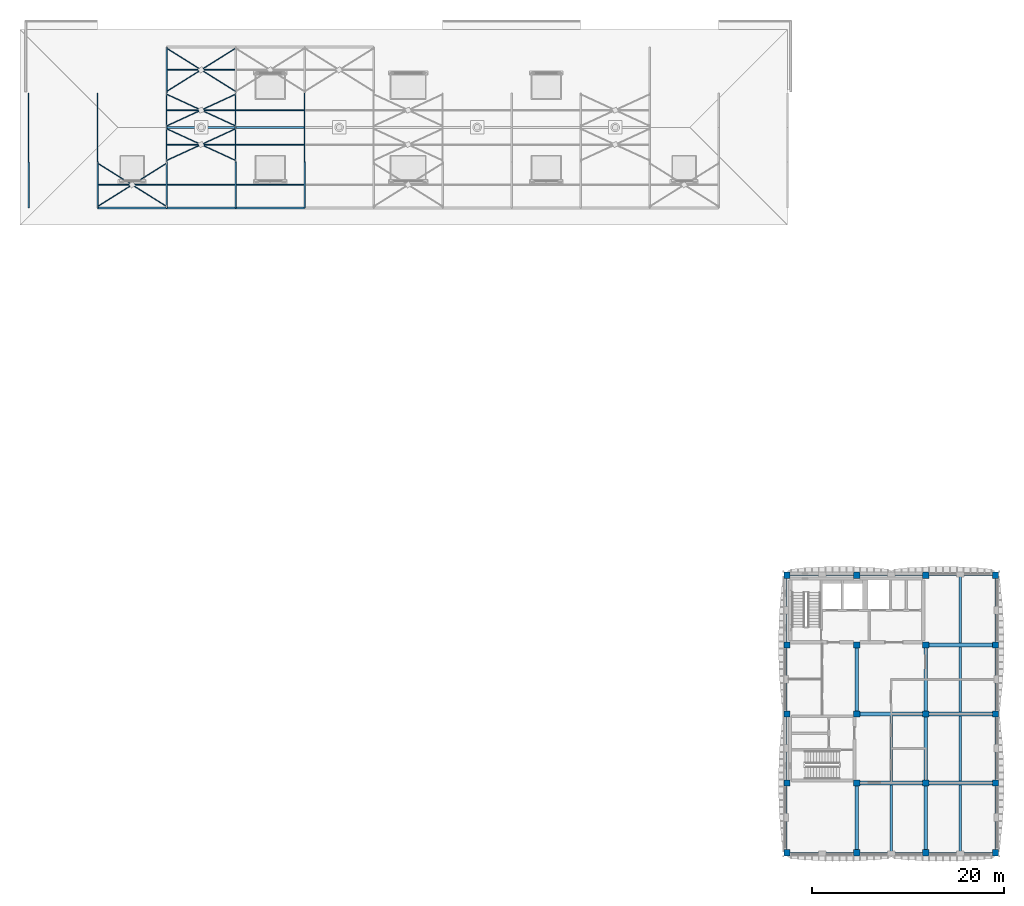
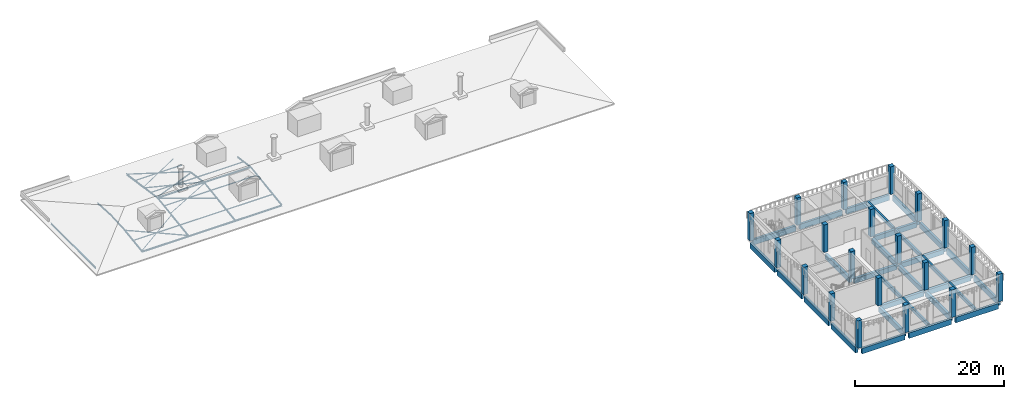
# One storey, part 1 of 24: 41 members, 30 beams, 20 columns.
"""IFC4 building model written with IfcOpenShell, lengths in metres."""

import ifcopenshell
import ifcopenshell.guid

model = None  # the IFC model being written
_history = None  # IfcOwnerHistory: only IFC2X3 demands one
_inside = {}  # id of a spatial element -> (the spatial element, [elements in it])
_under = {}  # id of a project, library or spatial element -> (it, [spatial elements below it])
_declared = {}  # id of a project -> (the project, [libraries it declares])
_typed = {}  # id of a type object -> (the type object, [elements of that type])
_made_of = {}  # id of a material, layer set ... -> (it, [elements and type objects made of it])


def new_model(schema):
    """Start an empty IFC model of exactly this schema.

    Asked for "IFC4X3", IfcOpenShell would pick the latest addendum, in which some entities
    have other attributes; the version numbers below select the first issue.
    IFC2X3 requires an IfcOwnerHistory on every rooted entity: one is made here for all.
    """
    global model, _history
    if schema == "IFC4X3":
        model = ifcopenshell.file(schema_version=(4, 3, 0, 0))
    else:
        model = ifcopenshell.file(schema=schema)
    _inside.clear()
    _under.clear()
    _declared.clear()
    _typed.clear()
    _made_of.clear()
    _history = None
    if model.schema == "IFC2X3":
        org = make("IfcOrganization", Name="unknown")
        user = make(
            "IfcPersonAndOrganization",
            ThePerson=make("IfcPerson", FamilyName="unknown"),
            TheOrganization=org,
        )
        app = make(
            "IfcApplication",
            ApplicationDeveloper=org,
            Version="unknown",
            ApplicationFullName="unknown",
            ApplicationIdentifier="unknown",
        )
        _history = make(
            "IfcOwnerHistory",
            OwningUser=user,
            OwningApplication=app,
            ChangeAction="ADDED",
            CreationDate=0,
        )
    return model


def make(cls, **values):
    """One entity of the class cls with the attributes given. An attribute that is None is left unset."""
    return model.create_entity(
        cls, **{name: value for name, value in values.items() if value is not None}
    )


def rooted(cls, **values):
    """An entity with a GlobalId (a new one), such as an element, a storey or a relation."""
    return make(cls, GlobalId=ifcopenshell.guid.new(), OwnerHistory=_history, **values)


def si_unit(unit_type, name, prefix=None):
    """IfcSIUnit, for example si_unit("LENGTHUNIT", "METRE", prefix="MILLI")."""
    return make("IfcSIUnit", UnitType=unit_type, Prefix=prefix, Name=name)


def assignment(units):
    """IfcUnitAssignment: the units of a project."""
    return None if units is None else make("IfcUnitAssignment", Units=units)


def point(xyz):
    """IfcCartesianPoint."""
    return None if xyz is None else make("IfcCartesianPoint", Coordinates=xyz)


def direction(xyz):
    """IfcDirection."""
    return None if xyz is None else make("IfcDirection", DirectionRatios=xyz)


def frame(location, z_axis=None, x_axis=None):
    """IfcAxis2Placement3D, a coordinate frame: its origin and axes. An axis left out is left unset."""
    return make(
        "IfcAxis2Placement3D",
        Location=point(location),
        Axis=direction(z_axis),
        RefDirection=direction(x_axis),
    )


def frame_2d(location, x_axis=None):
    """IfcAxis2Placement2D, a coordinate frame in the plane: its origin and x axis."""
    return make(
        "IfcAxis2Placement2D", Location=point(location), RefDirection=direction(x_axis)
    )


def origin():
    """The frame at (0, 0, 0) with its axes left unset."""
    return frame((0.0, 0.0, 0.0))


def origin_2d():
    """The frame at (0, 0) in the plane with its x axis left unset."""
    return frame_2d((0.0, 0.0))


def place(relative_to, where):
    """IfcLocalPlacement: puts the frame where relative to a parent placement (None: the world)."""
    return make(
        "IfcLocalPlacement", PlacementRelTo=relative_to, RelativePlacement=where
    )


def context(
    kind, dimensions, precision=None, world=None, true_north=None, identifier=None
):
    """IfcGeometricRepresentationContext, for example the 3D "Model" context."""
    return make(
        "IfcGeometricRepresentationContext",
        ContextIdentifier=identifier,
        ContextType=kind,
        CoordinateSpaceDimension=dimensions,
        Precision=precision,
        WorldCoordinateSystem=world,
        TrueNorth=true_north,
    )


def subcontext(parent, identifier, kind, view, scale=None):
    """IfcGeometricRepresentationSubContext, for example "Body" below "Model"."""
    return make(
        "IfcGeometricRepresentationSubContext",
        ContextIdentifier=identifier,
        ContextType=kind,
        ParentContext=parent,
        TargetScale=scale,
        TargetView=view,
    )


def project(units=None, contexts=None):
    """IfcProject with its units and contexts."""
    return rooted(
        "IfcProject",
        Name="project",
        RepresentationContexts=contexts,
        UnitsInContext=assignment(units),
    )


def spatial(cls, under=None, at=None, **own):
    """A site, building, storey or space (cls), placed at a placement, below another one or the project."""
    s = rooted(cls, ObjectPlacement=at, **own)
    if under is not None:
        _under.setdefault(under.id(), (under, []))[1].append(s)
    return s


def profile(cls, at=None, kind="AREA", **sizes):
    """A parametric profile (cls). Its sizes go by their IFC names, for example OverallWidth=200.0."""
    return make(cls, ProfileType=kind, Position=at, **sizes)


def rectangle(**sizes):
    """IfcRectangleProfileDef."""
    return profile("IfcRectangleProfileDef", **sizes)


def hollow_rectangle(**sizes):
    """IfcRectangleHollowProfileDef."""
    return profile("IfcRectangleHollowProfileDef", **sizes)


def hollow_circle(**sizes):
    """IfcCircleHollowProfileDef."""
    return profile("IfcCircleHollowProfileDef", **sizes)


def i_section(**sizes):
    """IfcIShapeProfileDef."""
    return profile("IfcIShapeProfileDef", **sizes)


def extrude(swept, where, along, depth):
    """IfcExtrudedAreaSolid: the profile swept, set in the frame where, extruded along a direction by depth."""
    return make(
        "IfcExtrudedAreaSolid",
        SweptArea=swept,
        Position=where,
        ExtrudedDirection=direction(along),
        Depth=depth,
    )


def shape(context_of_items, identifier, shape_type, items):
    """IfcShapeRepresentation: the items that make up one representation, for example the "Body"."""
    return make(
        "IfcShapeRepresentation",
        ContextOfItems=context_of_items,
        RepresentationIdentifier=identifier,
        RepresentationType=shape_type,
        Items=items,
    )


def material(Name=None, Category=None):
    """IfcMaterial."""
    return make("IfcMaterial", Name=Name, Category=Category)


def material_profile(
    of_material, cross_section, Name=None, Category=None, Priority=None
):
    """IfcMaterialProfile: a cross section and its material."""
    return make(
        "IfcMaterialProfile",
        Name=Name,
        Material=of_material,
        Profile=cross_section,
        Priority=Priority,
        Category=Category,
    )


def profile_set(profiles, Name=None, composite=None):
    """IfcMaterialProfileSet."""
    return make(
        "IfcMaterialProfileSet",
        Name=Name,
        MaterialProfiles=profiles,
        CompositeProfile=composite,
    )


def made_of(thing, what):
    """Note that an element or type object is made of a material, layer set ...; save() writes the relation."""
    if what is not None:
        _made_of.setdefault(what.id(), (what, []))[1].append(thing)
    return thing


def type_object(cls, material=None, **own):
    """A type object (cls), such as IfcWallType, which elements share."""
    return made_of(rooted(cls, **own), material)


def element(
    cls,
    number,
    at=None,
    inside=None,
    cuts=None,
    type_object=None,
    material=None,
    context=None,
    identifier="Body",
    shape_type=None,
    held_by="IfcProductDefinitionShape",
    body=None,
    shapes=None,
    **own,
):
    """One element of the class cls, such as IfcWall. Its Tag is "e" and its number.

    at: its placement. inside: the storey or other place that contains it. cuts: it is an
    opening in that element (IfcRelVoidsElement). A single representation is given by context,
    identifier, shape_type and body (its items); several are given by shapes. held_by: the class
    of the entity that holds the representations. save() writes the other relations.
    """
    e = rooted(cls, Tag="e%d" % number, ObjectPlacement=at, **own)
    if body is not None:
        shapes = [shape(context, identifier, shape_type, body)]
    if shapes is not None:
        e.Representation = make(held_by, Representations=shapes)
    if inside is not None:
        _inside.setdefault(inside.id(), (inside, []))[1].append(e)
    if cuts is not None:
        rooted(
            "IfcRelVoidsElement", RelatingBuildingElement=cuts, RelatedOpeningElement=e
        )
    if type_object is not None:
        _typed.setdefault(type_object.id(), (type_object, []))[1].append(e)
    return made_of(e, material)


def aggregate(whole, parts):
    """IfcRelAggregates: a whole, such as a stair, and the parts it consists of."""
    return rooted("IfcRelAggregates", RelatingObject=whole, RelatedObjects=parts)


def save(model, path):
    """Write the relations noted so far, then the file.

    IfcRelAggregates (storeys below a building ...), IfcRelContainedInSpatialStructure (elements
    in a storey), IfcRelDefinesByType, IfcRelAssociatesMaterial and IfcRelDeclares: one each for
    every whole, place, type object, material and project.
    """
    for whole, parts in _under.values():
        aggregate(whole, parts)
    for where, things in _inside.values():
        rooted(
            "IfcRelContainedInSpatialStructure",
            RelatedElements=things,
            RelatingStructure=where,
        )
    for kind, things in _typed.values():
        rooted("IfcRelDefinesByType", RelatedObjects=things, RelatingType=kind)
    for what, things in _made_of.values():
        rooted("IfcRelAssociatesMaterial", RelatedObjects=things, RelatingMaterial=what)
    for by, libraries in _declared.values():
        rooted("IfcRelDeclares", RelatingContext=by, RelatedDefinitions=libraries)
    model.write(path)


model = new_model("IFC4")

# Units and contexts
model_context = context("Model", 3, precision=1e-05, world=origin(), true_north=direction((0.0, 1.0)))
body_context = subcontext(model_context, "Body", "Model", "MODEL_VIEW")
ifc_project = project(units=[si_unit("LENGTHUNIT", "METRE"), si_unit("AREAUNIT", "SQUARE_METRE"), si_unit("VOLUMEUNIT", "CUBIC_METRE"), si_unit("PLANEANGLEUNIT", "RADIAN"), si_unit("MASSUNIT", "GRAM", prefix="KILO")], contexts=[model_context])

# Site, building, storey
site_placement = place(None, origin())
site = spatial("IfcSite", under=ifc_project, at=site_placement, CompositionType="ELEMENT")
building_placement = place(site_placement, origin())
building = spatial("IfcBuilding", under=site, at=building_placement, Name="Ussher Court Research Institute", CompositionType="ELEMENT")
storey_placement = place(building_placement, frame((0.0, 0.0, 32.39990234375)))
storey = spatial("IfcBuildingStorey", under=building, at=storey_placement, Name="L07", CompositionType="ELEMENT", Elevation=32.39990234375)

# Columns
ifc_material_1 = material(Name="Concrete C35/45", Category="concrete")
ifc_material_profile_1 = material_profile(ifc_material_1, rectangle(XDim=0.64990234375, YDim=0.64990234375, at=origin_2d()), Name="RC 650x650")
ifc_profile_set_1 = profile_set([ifc_material_profile_1], Name="Concrete C35/45")
column_type = type_object("IfcColumnType", Name="RC 650x650 column", PredefinedType="COLUMN", material=ifc_profile_set_1)
for number, where, z_axis, x_axis, name in (
    (1, (82.125, 3.925048828125, 0.0), (0.0, 0.0, 1.0), (1.0, 0.0, 0.0), "C65 V4 L07-01"),
    (2, (82.125, 11.199951171875, 0.0), (0.0, 0.0, 1.0), (1.0, 0.0, 0.0), "C65 V4 L07-02"),
    (3, (82.125, 18.39990234375, 0.0), (0.0, 0.0, 1.0), (1.0, 0.0, 0.0), "C65 V4 L07-03"),
    (4, (82.125, 25.60009765625, 0.0), (0.0, 0.0, 1.0), (1.0, 0.0, 0.0), "C65 V4 L07-04"),
    (5, (82.125, 32.875, 0.0), (0.0, 0.0, 1.0), (1.0, 0.0, 0.0), "C65 V4 L07-05"),
    (6, (89.39990234375, 3.925048828125, 0.0), (0.0, 0.0, 1.0), (1.0, 0.0, 0.0), "C65 V4 L07-06"),
    (7, (89.39990234375, 11.199951171875, 0.0), (0.0, 0.0, 1.0), (1.0, 0.0, 0.0), "C65 V4 L07-07"),
    (8, (89.39990234375, 18.39990234375, 0.0), (0.0, 0.0, 1.0), (1.0, 0.0, 0.0), "C65 V4 L07-08"),
    (9, (89.39990234375, 25.60009765625, 0.0), (0.0, 0.0, 1.0), (1.0, 0.0, 0.0), "C65 V4 L07-09"),
    (10, (89.39990234375, 32.875, 0.0), (0.0, 0.0, 1.0), (1.0, 0.0, 0.0), "C65 V4 L07-10"),
    (11, (96.60009765625, 3.925048828125, 0.0), (0.0, 0.0, 1.0), (1.0, 0.0, 0.0), "C65 V4 L07-11"),
    (12, (96.60009765625, 11.199951171875, 0.0), (0.0, 0.0, 1.0), (1.0, 0.0, 0.0), "C65 V4 L07-12"),
    (13, (96.60009765625, 18.39990234375, 0.0), (0.0, 0.0, 1.0), (1.0, 0.0, 0.0), "C65 V4 L07-13"),
    (14, (96.60009765625, 25.60009765625, 0.0), (0.0, 0.0, 1.0), (1.0, 0.0, 0.0), "C65 V4 L07-14"),
    (15, (96.60009765625, 32.875, 0.0), (0.0, 0.0, 1.0), (1.0, 0.0, 0.0), "C65 V4 L07-15"),
    (16, (103.875, 3.925048828125, 0.0), (0.0, 0.0, 1.0), (1.0, 0.0, 0.0), "C65 V4 L07-16"),
    (17, (103.875, 11.199951171875, 0.0), (0.0, 0.0, 1.0), (1.0, 0.0, 0.0), "C65 V4 L07-17"),
    (18, (103.875, 18.39990234375, 0.0), (0.0, 0.0, 1.0), (1.0, 0.0, 0.0), "C65 V4 L07-18"),
    (19, (103.875, 25.60009765625, 0.0), (0.0, 0.0, 1.0), (1.0, 0.0, 0.0), "C65 V4 L07-19"),
    (20, (103.875, 32.875, 0.0), (0.0, 0.0, 1.0), (1.0, 0.0, 0.0), "C65 V4 L07-20"),
):
    element("IfcColumn", number, at=place(storey_placement, frame(where, z_axis=z_axis, x_axis=x_axis)), inside=storey, type_object=column_type, Name=name, PredefinedType="COLUMN", context=body_context, shape_type="SweptSolid", body=[
        extrude(rectangle(XDim=0.64990234375, YDim=0.64990234375, at=origin_2d()), origin(), (0.0, 0.0, 1.0), 4.5),
    ])

# Members
ifc_material_2 = material(Name="Steel S355", Category="steel")
ifc_material_profile_2 = material_profile(ifc_material_2, hollow_circle(Radius=0.056884765625, WallThickness=0.0048828125, at=origin_2d()), Name="CHS 114x5")
ifc_profile_set_2 = profile_set([ifc_material_profile_2], Name="Steel S355")
member_type_1 = type_object("IfcMemberType", Name="CHS 114x5 brace", PredefinedType="BRACE", material=ifc_profile_set_2)
member_1_placement = place(storey_placement, frame((10.209228515625, 71.35009765625, -0.02490234375), z_axis=(0.845032241138, 0.52951331867, 0.074405354566), x_axis=(-0.530985167162, 0.847381113935, 0.0)))
element("IfcMember", 21, at=member_1_placement, inside=storey, type_object=member_type_1, Name="RB1 V5 L07-01", PredefinedType="BRACE", context=body_context, shape_type="SweptSolid", body=[
    extrude(hollow_circle(Radius=0.056884765625, WallThickness=0.0048828125, at=origin_2d()), origin(), (0.0, 0.0, 1.0), 8.498291015625),
])
member_2_placement = place(storey_placement, frame((10.209228515625, 75.85009765625, 0.607421875), z_axis=(0.845035721143, -0.529509111994, -0.074395768073), x_axis=(0.530980567968, 0.84738399586, 0.0)))
element("IfcMember", 22, at=member_2_placement, inside=storey, type_object=member_type_1, Name="RB1 V5 L07-02", PredefinedType="BRACE", context=body_context, shape_type="SweptSolid", body=[
    extrude(hollow_circle(Radius=0.056884765625, WallThickness=0.0048828125, at=origin_2d()), origin(), (0.0, 0.0, 1.0), 4.190673828125),
])
member_3_placement = place(storey_placement, frame((13.849609375, 73.56884765625, 0.286865234375), z_axis=(0.845045132744, -0.529493254714, -0.074401726042), x_axis=(0.530964903291, 0.847393811326, 0.0)))
element("IfcMember", 23, at=member_3_placement, inside=storey, type_object=member_type_1, Name="RB1 V5 L07-03", PredefinedType="BRACE", context=body_context, shape_type="SweptSolid", body=[
    extrude(hollow_circle(Radius=0.056884765625, WallThickness=0.0048828125, at=origin_2d()), origin(), (0.0, 0.0, 1.0), 4.1904296875),
])
member_4_placement = place(storey_placement, frame((17.4091796875, 76.14990234375, 0.649658203125), z_axis=(0.907097828107, 0.416822183251, 0.058590082724), x_axis=(-0.417539463625, 0.908658789819, 0.0)))
element("IfcMember", 24, at=member_4_placement, inside=storey, type_object=member_type_1, Name="RB1 V5 L07-10", PredefinedType="BRACE", context=body_context, shape_type="SweptSolid", body=[
    extrude(hollow_circle(Radius=0.056884765625, WallThickness=0.0048828125, at=origin_2d()), origin(), (0.0, 0.0, 1.0), 7.917236328125),
])
for number, where, z_axis, x_axis, name in (
    (25, (17.4091796875, 79.449951171875, 1.113525390625), (0.907094327762, -0.416823967913, -0.058631564161), (0.41754227001, 0.908657500247, 0.0), "RB1 V5 L07-11"),
    (26, (21.06298828125, 77.77099609375, 0.87744140625), (0.907097664625, -0.416825501253, -0.05856900492), (0.41754227001, 0.908657500247, 0.0), "RB1 V5 L07-12"),
):
    element("IfcMember", number, at=place(storey_placement, frame(where, z_axis=z_axis, x_axis=x_axis)), inside=storey, type_object=member_type_1, Name=name, PredefinedType="BRACE", context=body_context, shape_type="SweptSolid", body=[
        extrude(hollow_circle(Radius=0.056884765625, WallThickness=0.0048828125, at=origin_2d()), origin(), (0.0, 0.0, 1.0), 3.88916015625),
    ])
member_5_placement = place(storey_placement, frame((17.4091796875, 79.75, 1.113525390625), z_axis=(0.907097828107, 0.416822183251, -0.058590082724), x_axis=(-0.417539463625, 0.908658789819, 0.0)))
element("IfcMember", 27, at=member_5_placement, inside=storey, type_object=member_type_1, Name="RB1 V5 L07-19", PredefinedType="BRACE", context=body_context, shape_type="SweptSolid", body=[
    extrude(hollow_circle(Radius=0.056884765625, WallThickness=0.0048828125, at=origin_2d()), origin(), (0.0, 0.0, 1.0), 7.917236328125),
])
for number, where, z_axis, x_axis, name in (
    (28, (17.4091796875, 83.050048828125, 0.649658203125), (0.907097664625, -0.416825501253, 0.05856900492), (0.41754227001, 0.908657500247, 0.0), "RB1 V5 L07-20"),
    (29, (21.06298828125, 81.37109375, 0.885498046875), (0.907094327762, -0.416823967913, 0.058631564161), (0.41754227001, 0.908657500247, 0.0), "RB1 V5 L07-21"),
):
    element("IfcMember", number, at=place(storey_placement, frame(where, z_axis=z_axis, x_axis=x_axis)), inside=storey, type_object=member_type_1, Name=name, PredefinedType="BRACE", context=body_context, shape_type="SweptSolid", body=[
        extrude(hollow_circle(Radius=0.056884765625, WallThickness=0.0048828125, at=origin_2d()), origin(), (0.0, 0.0, 1.0), 3.88916015625),
    ])
member_6_placement = place(storey_placement, frame((17.4091796875, 83.35009765625, 0.607421875), z_axis=(0.845040454746, 0.529500464437, -0.074403548334), x_axis=(-0.530972205443, 0.847389235857, 0.0)))
element("IfcMember", 30, at=member_6_placement, inside=storey, type_object=member_type_1, Name="RB1 V5 L07-28", PredefinedType="BRACE", context=body_context, shape_type="SweptSolid", body=[
    extrude(hollow_circle(Radius=0.056884765625, WallThickness=0.0048828125, at=origin_2d()), origin(), (0.0, 0.0, 1.0), 8.49853515625),
])
member_7_placement = place(storey_placement, frame((17.4091796875, 87.85009765625, -0.02490234375), z_axis=(0.845035721143, -0.529509111994, 0.074395768073), x_axis=(0.530980567968, 0.84738399586, 0.0)))
element("IfcMember", 31, at=member_7_placement, inside=storey, type_object=member_type_1, Name="RB1 V5 L07-29", PredefinedType="BRACE", context=body_context, shape_type="SweptSolid", body=[
    extrude(hollow_circle(Radius=0.056884765625, WallThickness=0.0048828125, at=origin_2d()), origin(), (0.0, 0.0, 1.0), 4.190673828125),
])
member_8_placement = place(storey_placement, frame((21.049560546875, 85.56884765625, 0.295654296875), z_axis=(0.845061788803, -0.529467186256, 0.074398063034), x_axis=(0.530938616878, 0.84741028145, 0.0)))
element("IfcMember", 32, at=member_8_placement, inside=storey, type_object=member_type_1, Name="RB1 V5 L07-30", PredefinedType="BRACE", context=body_context, shape_type="SweptSolid", body=[
    extrude(hollow_circle(Radius=0.056884765625, WallThickness=0.0048828125, at=origin_2d()), origin(), (0.0, 0.0, 1.0), 4.1904296875),
])
ifc_material_3 = material(Name="Steel S355", Category="steel")
ifc_material_profile_3 = material_profile(ifc_material_3, i_section(OverallWidth=0.199951171875, OverallDepth=0.18994140625, WebThickness=0.006591796875, FlangeThickness=0.010009765625, at=origin_2d()), Name="HEA 200")
ifc_profile_set_3 = profile_set([ifc_material_profile_3], Name="Steel S355")
member_type_2 = type_object("IfcMemberType", Name="HEA 200 purlin", PredefinedType="PURLIN", material=ifc_profile_set_3)
member_9_placement = place(storey_placement, frame((17.39990234375, 79.60009765625, 1.128662109375), z_axis=(1.0, 0.0, 0.0), x_axis=(0.0, 1.0, 0.0)))
element("IfcMember", 33, at=member_9_placement, inside=storey, type_object=member_type_2, Name="SP1 V5 L07-01", PredefinedType="PURLIN", context=body_context, shape_type="SweptSolid", body=[
    extrude(i_section(OverallWidth=0.199951171875, OverallDepth=0.18994140625, WebThickness=0.006591796875, FlangeThickness=0.010009765625, at=origin_2d()), origin(), (0.0, 0.0, 1.0), 7.2001953125),
])
member_10_placement = place(storey_placement, frame((24.60009765625, 79.60009765625, 1.128662109375), z_axis=(1.0, 0.0, 0.0), x_axis=(0.0, 1.0, 0.0)))
element("IfcMember", 34, at=member_10_placement, inside=storey, type_object=member_type_2, Name="SP1 V5 L07-02", PredefinedType="PURLIN", context=body_context, shape_type="SweptSolid", body=[
    extrude(i_section(OverallWidth=0.199951171875, OverallDepth=0.18994140625, WebThickness=0.006591796875, FlangeThickness=0.010009765625, at=origin_2d()), origin(), (0.0, 0.0, 1.0), 7.199951171875),
])
ifc_material_4 = material(Name="Steel S355", Category="steel")
ifc_material_profile_4 = material_profile(ifc_material_4, i_section(OverallWidth=0.199951171875, OverallDepth=0.199951171875, WebThickness=0.009033203125, FlangeThickness=0.014892578125, at=origin_2d()), Name="HEB 200")
ifc_profile_set_4 = profile_set([ifc_material_profile_4], Name="Steel S355")
member_type_3 = type_object("IfcMemberType", Name="HEB 200 purlin", PredefinedType="PURLIN", material=ifc_profile_set_4)
member_11_placement = place(storey_placement, frame((10.199951171875, 71.199951171875, -0.056884765625), z_axis=(1.0, 0.0, 0.0), x_axis=(0.0, 1.0, 0.0)))
element("IfcMember", 35, at=member_11_placement, inside=storey, type_object=member_type_3, Name="SP5 V5 L07-01", PredefinedType="PURLIN", context=body_context, shape_type="SweptSolid", body=[
    extrude(i_section(OverallWidth=0.199951171875, OverallDepth=0.199951171875, WebThickness=0.009033203125, FlangeThickness=0.014892578125, at=origin_2d()), origin(), (0.0, 0.0, 1.0), 7.199951171875),
])
member_12_placement = place(storey_placement, frame((17.39990234375, 71.199951171875, -0.056884765625), z_axis=(1.0, 0.0, 0.0), x_axis=(0.0, 1.0, 0.0)))
element("IfcMember", 36, at=member_12_placement, inside=storey, type_object=member_type_3, Name="SP5 V5 L07-02", PredefinedType="PURLIN", context=body_context, shape_type="SweptSolid", body=[
    extrude(i_section(OverallWidth=0.199951171875, OverallDepth=0.199951171875, WebThickness=0.009033203125, FlangeThickness=0.014892578125, at=origin_2d()), origin(), (0.0, 0.0, 1.0), 7.2001953125),
])
member_13_placement = place(storey_placement, frame((24.60009765625, 71.199951171875, -0.056884765625), z_axis=(1.0, 0.0, 0.0), x_axis=(0.0, 1.0, 0.0)))
element("IfcMember", 37, at=member_13_placement, inside=storey, type_object=member_type_3, Name="SP5 V5 L07-03", PredefinedType="PURLIN", context=body_context, shape_type="SweptSolid", body=[
    extrude(i_section(OverallWidth=0.199951171875, OverallDepth=0.199951171875, WebThickness=0.009033203125, FlangeThickness=0.014892578125, at=origin_2d()), origin(), (0.0, 0.0, 1.0), 7.199951171875),
])
ifc_material_5 = material(Name="Steel S355", Category="steel")
ifc_material_profile_5 = material_profile(ifc_material_5, i_section(OverallWidth=0.1201171875, OverallDepth=0.239990234375, WebThickness=0.006103515625, FlangeThickness=0.009765625, at=origin_2d()), Name="IPE 240")
ifc_profile_set_5 = profile_set([ifc_material_profile_5], Name="Steel S355")
member_type_4 = type_object("IfcMemberType", Name="IPE 240 rafter", PredefinedType="RAFTER", material=ifc_profile_set_5)
member_14_placement = place(storey_placement, frame((3.0, 76.0, -0.19775390625), z_axis=(0.0, 1.0, 0.0), x_axis=(-1.0, 0.0, 0.0)))
element("IfcMember", 38, at=member_14_placement, inside=storey, type_object=member_type_4, Name="SR4 V5 L07-01", PredefinedType="RAFTER", context=body_context, shape_type="SweptSolid", body=[
    extrude(i_section(OverallWidth=0.1201171875, OverallDepth=0.239990234375, WebThickness=0.006103515625, FlangeThickness=0.009765625, at=origin_2d()), origin(), (0.0, 0.0, 1.0), 3.60009765625),
])
member_15_placement = place(storey_placement, frame((3.0, 79.60009765625, -0.19775390625), z_axis=(0.0, 1.0, 0.0), x_axis=(-1.0, 0.0, 0.0)))
element("IfcMember", 39, at=member_15_placement, inside=storey, type_object=member_type_4, Name="SR4 V5 L07-02", PredefinedType="RAFTER", context=body_context, shape_type="SweptSolid", body=[
    extrude(i_section(OverallWidth=0.1201171875, OverallDepth=0.239990234375, WebThickness=0.006103515625, FlangeThickness=0.009765625, at=origin_2d()), origin(), (0.0, 0.0, 1.0), 3.599853515625),
])
for number, where, z_axis, x_axis, name in (
    (40, (10.199951171875, 76.006591796875, 0.61181640625), (0.0, 0.998423468537, 0.056130005114), (-1.0, 0.0, 0.0), "SR4 V5 L07-03"),
    (41, (10.199951171875, 79.59326171875, 0.814208984375), (0.0, 0.998423468537, -0.056130005114), (-1.0, 0.0, 0.0), "SR4 V5 L07-04"),
):
    element("IfcMember", number, at=place(storey_placement, frame(where, z_axis=z_axis, x_axis=x_axis)), inside=storey, type_object=member_type_4, Name=name, PredefinedType="RAFTER", context=body_context, shape_type="SweptSolid", body=[
        extrude(i_section(OverallWidth=0.1201171875, OverallDepth=0.239990234375, WebThickness=0.006103515625, FlangeThickness=0.009765625, at=origin_2d()), origin(), (0.0, 0.0, 1.0), 3.605712890625),
    ])
for number, where, z_axis, x_axis, name in (
    (42, (17.39990234375, 76.0166015625, 0.61279296875), (0.0, 0.990262655095, 0.139211615625), (-1.0, 0.0, 0.0), "SR4 V5 L07-05"),
    (43, (17.39990234375, 79.583251953125, 1.118896484375), (0.0, 0.990262655095, -0.139211615625), (-1.0, 0.0, 0.0), "SR4 V5 L07-06"),
    (44, (24.60009765625, 76.0166015625, 0.61279296875), (0.0, 0.990262655095, 0.139211615625), (-1.0, 0.0, 0.0), "SR4 V5 L07-07"),
    (45, (24.60009765625, 79.583251953125, 1.118896484375), (0.0, 0.990262655095, -0.139211615625), (-1.0, 0.0, 0.0), "SR4 V5 L07-08"),
    (46, (31.800048828125, 76.0166015625, 0.61279296875), (0.0, 0.990262655095, 0.139211615625), (-1.0, 0.0, 0.0), "SR4 V5 L07-09"),
    (47, (31.800048828125, 79.583251953125, 1.118896484375), (0.0, 0.990262655095, -0.139211615625), (-1.0, 0.0, 0.0), "SR4 V5 L07-10"),
):
    element("IfcMember", number, at=place(storey_placement, frame(where, z_axis=z_axis, x_axis=x_axis)), inside=storey, type_object=member_type_4, Name=name, PredefinedType="RAFTER", context=body_context, shape_type="SweptSolid", body=[
        extrude(i_section(OverallWidth=0.1201171875, OverallDepth=0.239990234375, WebThickness=0.006103515625, FlangeThickness=0.009765625, at=origin_2d()), origin(), (0.0, 0.0, 1.0), 3.635498046875),
    ])
ifc_material_6 = material(Name="Steel S355", Category="steel")
ifc_material_profile_6 = material_profile(ifc_material_6, i_section(OverallWidth=0.135009765625, OverallDepth=0.27001953125, WebThickness=0.006591796875, FlangeThickness=0.01025390625, at=origin_2d()), Name="IPE 270")
ifc_profile_set_6 = profile_set([ifc_material_profile_6], Name="Steel S355")
member_type_5 = type_object("IfcMemberType", Name="IPE 270 rafter", PredefinedType="RAFTER", material=ifc_profile_set_6)
member_16_placement = place(storey_placement, frame((3.0, 71.199951171875, -0.2138671875), z_axis=(0.0, 1.0, 0.0), x_axis=(-1.0, 0.0, 0.0)))
element("IfcMember", 48, at=member_16_placement, inside=storey, type_object=member_type_5, Name="SR2 V5 L07-01", PredefinedType="RAFTER", context=body_context, shape_type="SweptSolid", body=[
    extrude(i_section(OverallWidth=0.135009765625, OverallDepth=0.27001953125, WebThickness=0.006591796875, FlangeThickness=0.01025390625, at=origin_2d()), origin(), (0.0, 0.0, 1.0), 4.800048828125),
])
for number, where, z_axis, x_axis, name in (
    (49, (10.199951171875, 71.21875, -0.07666015625), (0.0, 0.990269272028, 0.139164538864), (-1.0, 0.0, 0.0), "SR2 V5 L07-02"),
    (50, (17.39990234375, 71.21875, -0.07666015625), (0.0, 0.990269272028, 0.139164538864), (-1.0, 0.0, 0.0), "SR2 V5 L07-03"),
    (51, (17.39990234375, 83.18115234375, 0.597900390625), (0.0, 0.990269272028, -0.139164538864), (-1.0, 0.0, 0.0), "SR2 V5 L07-04"),
    (52, (24.60009765625, 71.21875, -0.07666015625), (0.0, 0.990269272028, 0.139164538864), (-1.0, 0.0, 0.0), "SR2 V5 L07-05"),
    (53, (31.800048828125, 71.21875, -0.07666015625), (0.0, 0.990269272028, 0.139164538864), (-1.0, 0.0, 0.0), "SR2 V5 L07-07"),
):
    element("IfcMember", number, at=place(storey_placement, frame(where, z_axis=z_axis, x_axis=x_axis)), inside=storey, type_object=member_type_5, Name=name, PredefinedType="RAFTER", context=body_context, shape_type="SweptSolid", body=[
        extrude(i_section(OverallWidth=0.135009765625, OverallDepth=0.27001953125, WebThickness=0.006591796875, FlangeThickness=0.01025390625, at=origin_2d()), origin(), (0.0, 0.0, 1.0), 4.84716796875),
    ])

# Beams
ifc_material_7 = material(Name="Concrete C35/45", Category="concrete")
ifc_material_profile_7 = material_profile(ifc_material_7, rectangle(XDim=0.300048828125, YDim=0.60009765625, at=origin_2d()), Name="RC 300x600")
ifc_profile_set_7 = profile_set([ifc_material_profile_7], Name="Concrete C35/45")
beam_type_1 = type_object("IfcBeamType", Name="RC 300x600 beam", PredefinedType="BEAM", material=ifc_profile_set_7)
beam_1_placement = place(storey_placement, frame((93.0, 3.949951171875, -0.2998046875), z_axis=(0.0, 1.0, 0.0), x_axis=(-1.0, 0.0, 0.0)))
element("IfcBeam", 54, at=beam_1_placement, inside=storey, type_object=beam_type_1, Name="B3 V4 L07-01", PredefinedType="BEAM", context=body_context, shape_type="SweptSolid", body=[
    extrude(rectangle(XDim=0.300048828125, YDim=0.60009765625, at=origin_2d()), origin(), (0.0, 0.0, 1.0), 7.050048828125),
])
beam_2_placement = place(storey_placement, frame((93.0, 11.39990234375, -0.2998046875), z_axis=(0.0, 1.0, 0.0), x_axis=(-1.0, 0.0, 0.0)))
element("IfcBeam", 55, at=beam_2_placement, inside=storey, type_object=beam_type_1, Name="B3 V4 L07-02", PredefinedType="BEAM", context=body_context, shape_type="SweptSolid", body=[
    extrude(rectangle(XDim=0.300048828125, YDim=0.60009765625, at=origin_2d()), origin(), (0.0, 0.0, 1.0), 6.800048828125),
])
beam_3_placement = place(storey_placement, frame((100.199951171875, 3.949951171875, -0.2998046875), z_axis=(0.0, 1.0, 0.0), x_axis=(-1.0, 0.0, 0.0)))
element("IfcBeam", 56, at=beam_3_placement, inside=storey, type_object=beam_type_1, Name="B3 V4 L07-03", PredefinedType="BEAM", context=body_context, shape_type="SweptSolid", body=[
    extrude(rectangle(XDim=0.300048828125, YDim=0.60009765625, at=origin_2d()), origin(), (0.0, 0.0, 1.0), 7.050048828125),
])
beam_4_placement = place(storey_placement, frame((100.199951171875, 11.39990234375, -0.2998046875), z_axis=(0.0, 1.0, 0.0), x_axis=(-1.0, 0.0, 0.0)))
element("IfcBeam", 57, at=beam_4_placement, inside=storey, type_object=beam_type_1, Name="B3 V4 L07-04", PredefinedType="BEAM", context=body_context, shape_type="SweptSolid", body=[
    extrude(rectangle(XDim=0.300048828125, YDim=0.60009765625, at=origin_2d()), origin(), (0.0, 0.0, 1.0), 6.800048828125),
])
beam_5_placement = place(storey_placement, frame((100.199951171875, 18.60009765625, -0.2998046875), z_axis=(0.0, 1.0, 0.0), x_axis=(-1.0, 0.0, 0.0)))
element("IfcBeam", 58, at=beam_5_placement, inside=storey, type_object=beam_type_1, Name="B3 V4 L07-05", PredefinedType="BEAM", context=body_context, shape_type="SweptSolid", body=[
    extrude(rectangle(XDim=0.300048828125, YDim=0.60009765625, at=origin_2d()), origin(), (0.0, 0.0, 1.0), 6.7998046875),
])
beam_6_placement = place(storey_placement, frame((100.199951171875, 25.800048828125, -0.2998046875), z_axis=(0.0, 1.0, 0.0), x_axis=(-1.0, 0.0, 0.0)))
element("IfcBeam", 59, at=beam_6_placement, inside=storey, type_object=beam_type_1, Name="B3 V4 L07-06", PredefinedType="BEAM", context=body_context, shape_type="SweptSolid", body=[
    extrude(rectangle(XDim=0.300048828125, YDim=0.60009765625, at=origin_2d()), origin(), (0.0, 0.0, 1.0), 7.050048828125),
])
ifc_material_8 = material(Name="Concrete C35/45", Category="concrete")
ifc_material_profile_8 = material_profile(ifc_material_8, rectangle(XDim=0.35009765625, YDim=0.89990234375, at=origin_2d()), Name="RC 350x900")
ifc_profile_set_8 = profile_set([ifc_material_profile_8], Name="Concrete C35/45")
beam_type_2 = type_object("IfcBeamType", Name="RC 350x900 beam", PredefinedType="BEAM", material=ifc_profile_set_8)
beam_7_placement = place(storey_placement, frame((82.449951171875, 3.77490234375, -0.64990234375), z_axis=(1.0, 0.0, 0.0), x_axis=(0.0, 1.0, 0.0)))
element("IfcBeam", 60, at=beam_7_placement, inside=storey, type_object=beam_type_2, Name="SB1 V4 L07-01", PredefinedType="BEAM", context=body_context, shape_type="SweptSolid", body=[
    extrude(rectangle(XDim=0.35009765625, YDim=0.89990234375, at=origin_2d()), origin(), (0.0, 0.0, 1.0), 6.625),
])
beam_8_placement = place(storey_placement, frame((89.72509765625, 3.77490234375, -0.64990234375), z_axis=(1.0, 0.0, 0.0), x_axis=(0.0, 1.0, 0.0)))
element("IfcBeam", 61, at=beam_8_placement, inside=storey, type_object=beam_type_2, Name="SB1 V4 L07-02", PredefinedType="BEAM", context=body_context, shape_type="SweptSolid", body=[
    extrude(rectangle(XDim=0.35009765625, YDim=0.89990234375, at=origin_2d()), origin(), (0.0, 0.0, 1.0), 6.5498046875),
])
for number, where, z_axis, x_axis, name in (
    (62, (96.925048828125, 3.77490234375, -0.64990234375), (1.0, 0.0, 0.0), (0.0, 1.0, 0.0), "SB1 V4 L07-03"),
    (63, (82.449951171875, 33.02490234375, -0.64990234375), (1.0, 0.0, 0.0), (0.0, 1.0, 0.0), "SB1 V4 L07-04"),
):
    element("IfcBeam", number, at=place(storey_placement, frame(where, z_axis=z_axis, x_axis=x_axis)), inside=storey, type_object=beam_type_2, Name=name, PredefinedType="BEAM", context=body_context, shape_type="SweptSolid", body=[
        extrude(rectangle(XDim=0.35009765625, YDim=0.89990234375, at=origin_2d()), origin(), (0.0, 0.0, 1.0), 6.625),
    ])
beam_9_placement = place(storey_placement, frame((89.72509765625, 33.02490234375, -0.64990234375), z_axis=(1.0, 0.0, 0.0), x_axis=(0.0, 1.0, 0.0)))
element("IfcBeam", 64, at=beam_9_placement, inside=storey, type_object=beam_type_2, Name="SB1 V4 L07-05", PredefinedType="BEAM", context=body_context, shape_type="SweptSolid", body=[
    extrude(rectangle(XDim=0.35009765625, YDim=0.89990234375, at=origin_2d()), origin(), (0.0, 0.0, 1.0), 6.5498046875),
])
for number, where, z_axis, x_axis, name in (
    (65, (96.925048828125, 33.02490234375, -0.64990234375), (1.0, 0.0, 0.0), (0.0, 1.0, 0.0), "SB1 V4 L07-06"),
    (66, (81.97509765625, 4.25, -0.64990234375), (0.0, 1.0, 0.0), (-1.0, 0.0, 0.0), "SB1 V4 L07-07"),
):
    element("IfcBeam", number, at=place(storey_placement, frame(where, z_axis=z_axis, x_axis=x_axis)), inside=storey, type_object=beam_type_2, Name=name, PredefinedType="BEAM", context=body_context, shape_type="SweptSolid", body=[
        extrude(rectangle(XDim=0.35009765625, YDim=0.89990234375, at=origin_2d()), origin(), (0.0, 0.0, 1.0), 6.625),
    ])
beam_10_placement = place(storey_placement, frame((81.97509765625, 11.52490234375, -0.64990234375), z_axis=(0.0, 1.0, 0.0), x_axis=(-1.0, 0.0, 0.0)))
element("IfcBeam", 67, at=beam_10_placement, inside=storey, type_object=beam_type_2, Name="SB1 V4 L07-08", PredefinedType="BEAM", context=body_context, shape_type="SweptSolid", body=[
    extrude(rectangle(XDim=0.35009765625, YDim=0.89990234375, at=origin_2d()), origin(), (0.0, 0.0, 1.0), 6.550048828125),
])
beam_11_placement = place(storey_placement, frame((81.97509765625, 18.72509765625, -0.64990234375), z_axis=(0.0, 1.0, 0.0), x_axis=(-1.0, 0.0, 0.0)))
element("IfcBeam", 68, at=beam_11_placement, inside=storey, type_object=beam_type_2, Name="SB1 V4 L07-09", PredefinedType="BEAM", context=body_context, shape_type="SweptSolid", body=[
    extrude(rectangle(XDim=0.35009765625, YDim=0.89990234375, at=origin_2d()), origin(), (0.0, 0.0, 1.0), 6.5498046875),
])
for number, where, z_axis, x_axis, name in (
    (69, (81.97509765625, 25.925048828125, -0.64990234375), (0.0, 1.0, 0.0), (-1.0, 0.0, 0.0), "SB1 V4 L07-10"),
    (70, (104.02490234375, 4.25, -0.64990234375), (0.0, 1.0, 0.0), (-1.0, 0.0, 0.0), "SB1 V4 L07-11"),
):
    element("IfcBeam", number, at=place(storey_placement, frame(where, z_axis=z_axis, x_axis=x_axis)), inside=storey, type_object=beam_type_2, Name=name, PredefinedType="BEAM", context=body_context, shape_type="SweptSolid", body=[
        extrude(rectangle(XDim=0.35009765625, YDim=0.89990234375, at=origin_2d()), origin(), (0.0, 0.0, 1.0), 6.625),
    ])
beam_12_placement = place(storey_placement, frame((104.02490234375, 11.52490234375, -0.64990234375), z_axis=(0.0, 1.0, 0.0), x_axis=(-1.0, 0.0, 0.0)))
element("IfcBeam", 71, at=beam_12_placement, inside=storey, type_object=beam_type_2, Name="SB1 V4 L07-12", PredefinedType="BEAM", context=body_context, shape_type="SweptSolid", body=[
    extrude(rectangle(XDim=0.35009765625, YDim=0.89990234375, at=origin_2d()), origin(), (0.0, 0.0, 1.0), 6.550048828125),
])
beam_13_placement = place(storey_placement, frame((104.02490234375, 18.72509765625, -0.64990234375), z_axis=(0.0, 1.0, 0.0), x_axis=(-1.0, 0.0, 0.0)))
element("IfcBeam", 72, at=beam_13_placement, inside=storey, type_object=beam_type_2, Name="SB1 V4 L07-13", PredefinedType="BEAM", context=body_context, shape_type="SweptSolid", body=[
    extrude(rectangle(XDim=0.35009765625, YDim=0.89990234375, at=origin_2d()), origin(), (0.0, 0.0, 1.0), 6.5498046875),
])
beam_14_placement = place(storey_placement, frame((104.02490234375, 25.925048828125, -0.64990234375), z_axis=(0.0, 1.0, 0.0), x_axis=(-1.0, 0.0, 0.0)))
element("IfcBeam", 73, at=beam_14_placement, inside=storey, type_object=beam_type_2, Name="SB1 V4 L07-14", PredefinedType="BEAM", context=body_context, shape_type="SweptSolid", body=[
    extrude(rectangle(XDim=0.35009765625, YDim=0.89990234375, at=origin_2d()), origin(), (0.0, 0.0, 1.0), 6.625),
])
ifc_material_9 = material(Name="Concrete C35/45", Category="concrete")
ifc_material_profile_9 = material_profile(ifc_material_9, rectangle(XDim=0.39990234375, YDim=0.800048828125, at=origin_2d()), Name="RC 400x800")
ifc_profile_set_9 = profile_set([ifc_material_profile_9], Name="Concrete C35/45")
beam_type_3 = type_object("IfcBeamType", Name="RC 400x800 beam", PredefinedType="BEAM", material=ifc_profile_set_9)
beam_15_placement = place(storey_placement, frame((89.72509765625, 11.199951171875, -0.599853515625), z_axis=(1.0, 0.0, 0.0), x_axis=(0.0, 1.0, 0.0)))
element("IfcBeam", 74, at=beam_15_placement, inside=storey, type_object=beam_type_3, Name="B17 V4 L07-01", PredefinedType="BEAM", context=body_context, shape_type="SweptSolid", body=[
    extrude(rectangle(XDim=0.39990234375, YDim=0.800048828125, at=origin_2d()), origin(), (0.0, 0.0, 1.0), 6.5498046875),
])
beam_16_placement = place(storey_placement, frame((96.925048828125, 11.199951171875, -0.599853515625), z_axis=(1.0, 0.0, 0.0), x_axis=(0.0, 1.0, 0.0)))
element("IfcBeam", 75, at=beam_16_placement, inside=storey, type_object=beam_type_3, Name="B17 V4 L07-02", PredefinedType="BEAM", context=body_context, shape_type="SweptSolid", body=[
    extrude(rectangle(XDim=0.39990234375, YDim=0.800048828125, at=origin_2d()), origin(), (0.0, 0.0, 1.0), 6.625),
])
beam_17_placement = place(storey_placement, frame((89.72509765625, 18.39990234375, -0.599853515625), z_axis=(1.0, 0.0, 0.0), x_axis=(0.0, 1.0, 0.0)))
element("IfcBeam", 76, at=beam_17_placement, inside=storey, type_object=beam_type_3, Name="B17 V4 L07-03", PredefinedType="BEAM", context=body_context, shape_type="SweptSolid", body=[
    extrude(rectangle(XDim=0.39990234375, YDim=0.800048828125, at=origin_2d()), origin(), (0.0, 0.0, 1.0), 6.5498046875),
])
for number, where, z_axis, x_axis, name in (
    (77, (96.925048828125, 18.39990234375, -0.599853515625), (1.0, 0.0, 0.0), (0.0, 1.0, 0.0), "B17 V4 L07-04"),
    (78, (96.925048828125, 25.60009765625, -0.599853515625), (1.0, 0.0, 0.0), (0.0, 1.0, 0.0), "B17 V4 L07-05"),
    (79, (89.39990234375, 4.25, -0.599853515625), (0.0, 1.0, 0.0), (-1.0, 0.0, 0.0), "B17 V4 L07-06"),
):
    element("IfcBeam", number, at=place(storey_placement, frame(where, z_axis=z_axis, x_axis=x_axis)), inside=storey, type_object=beam_type_3, Name=name, PredefinedType="BEAM", context=body_context, shape_type="SweptSolid", body=[
        extrude(rectangle(XDim=0.39990234375, YDim=0.800048828125, at=origin_2d()), origin(), (0.0, 0.0, 1.0), 6.625),
    ])
beam_18_placement = place(storey_placement, frame((89.39990234375, 18.72509765625, -0.599853515625), z_axis=(0.0, 1.0, 0.0), x_axis=(-1.0, 0.0, 0.0)))
element("IfcBeam", 80, at=beam_18_placement, inside=storey, type_object=beam_type_3, Name="B17 V4 L07-07", PredefinedType="BEAM", context=body_context, shape_type="SweptSolid", body=[
    extrude(rectangle(XDim=0.39990234375, YDim=0.800048828125, at=origin_2d()), origin(), (0.0, 0.0, 1.0), 6.5498046875),
])
beam_19_placement = place(storey_placement, frame((96.60009765625, 4.25, -0.599853515625), z_axis=(0.0, 1.0, 0.0), x_axis=(-1.0, 0.0, 0.0)))
element("IfcBeam", 81, at=beam_19_placement, inside=storey, type_object=beam_type_3, Name="B17 V4 L07-08", PredefinedType="BEAM", context=body_context, shape_type="SweptSolid", body=[
    extrude(rectangle(XDim=0.39990234375, YDim=0.800048828125, at=origin_2d()), origin(), (0.0, 0.0, 1.0), 6.625),
])
beam_20_placement = place(storey_placement, frame((96.60009765625, 11.52490234375, -0.599853515625), z_axis=(0.0, 1.0, 0.0), x_axis=(-1.0, 0.0, 0.0)))
element("IfcBeam", 82, at=beam_20_placement, inside=storey, type_object=beam_type_3, Name="B17 V4 L07-09", PredefinedType="BEAM", context=body_context, shape_type="SweptSolid", body=[
    extrude(rectangle(XDim=0.39990234375, YDim=0.800048828125, at=origin_2d()), origin(), (0.0, 0.0, 1.0), 6.550048828125),
])
beam_21_placement = place(storey_placement, frame((96.60009765625, 18.72509765625, -0.599853515625), z_axis=(0.0, 1.0, 0.0), x_axis=(-1.0, 0.0, 0.0)))
element("IfcBeam", 83, at=beam_21_placement, inside=storey, type_object=beam_type_3, Name="B17 V4 L07-10", PredefinedType="BEAM", context=body_context, shape_type="SweptSolid", body=[
    extrude(rectangle(XDim=0.39990234375, YDim=0.800048828125, at=origin_2d()), origin(), (0.0, 0.0, 1.0), 6.5498046875),
])

# Members
ifc_material_10 = material(Name="Steel S355", Category="steel")
ifc_material_profile_10 = material_profile(ifc_material_10, hollow_rectangle(XDim=0.10009765625, YDim=0.14990234375, WallThickness=0.006103515625, at=origin_2d()), Name="RHS 150x100x6")
ifc_profile_set_10 = profile_set([ifc_material_profile_10], Name="Steel S355")
member_type_6 = type_object("IfcMemberType", Name="RHS 150x100x6 purlin", PredefinedType="PURLIN", material=ifc_profile_set_10)
for number, where, z_axis, x_axis, name in (
    (84, (10.203369140625, 73.60009765625, 0.3125), (1.0, 0.0, 0.0), (0.0, 1.0, 0.0), "SP3 V5 L07-01"),
    (85, (17.4033203125, 73.60009765625, 0.3125), (1.0, 0.0, 0.0), (0.0, 1.0, 0.0), "SP3 V5 L07-02"),
    (86, (24.603271484375, 73.60009765625, 0.3125), (1.0, 0.0, 0.0), (0.0, 1.0, 0.0), "SP3 V5 L07-03"),
):
    element("IfcMember", number, at=place(storey_placement, frame(where, z_axis=z_axis, x_axis=x_axis)), inside=storey, type_object=member_type_6, Name=name, PredefinedType="PURLIN", context=body_context, shape_type="SweptSolid", body=[
        extrude(hollow_rectangle(XDim=0.10009765625, YDim=0.14990234375, WallThickness=0.006103515625, at=origin_2d()), origin(), (0.0, 0.0, 1.0), 7.193359375),
    ])
for number, where, z_axis, x_axis, name in (
    (87, (17.403076171875, 77.800048828125, 0.902587890625), (1.0, 0.0, 0.0), (0.0, 1.0, 0.0), "SP3 V5 L07-10"),
    (88, (24.60302734375, 77.800048828125, 0.902587890625), (1.0, 0.0, 0.0), (0.0, 1.0, 0.0), "SP3 V5 L07-11"),
    (89, (17.403076171875, 81.39990234375, 0.902587890625), (1.0, 0.0, 0.0), (0.0, 1.0, 0.0), "SP3 V5 L07-17"),
    (90, (24.60302734375, 81.39990234375, 0.902587890625), (1.0, 0.0, 0.0), (0.0, 1.0, 0.0), "SP3 V5 L07-18"),
):
    element("IfcMember", number, at=place(storey_placement, frame(where, z_axis=z_axis, x_axis=x_axis)), inside=storey, type_object=member_type_6, Name=name, PredefinedType="PURLIN", context=body_context, shape_type="SweptSolid", body=[
        extrude(hollow_rectangle(XDim=0.10009765625, YDim=0.14990234375, WallThickness=0.006103515625, at=origin_2d()), origin(), (0.0, 0.0, 1.0), 7.19384765625),
    ])
member_17_placement = place(storey_placement, frame((17.4033203125, 85.60009765625, 0.3125), z_axis=(1.0, 0.0, 0.0), x_axis=(0.0, 1.0, 0.0)))
element("IfcMember", 91, at=member_17_placement, inside=storey, type_object=member_type_6, Name="SP3 V5 L07-24", PredefinedType="PURLIN", context=body_context, shape_type="SweptSolid", body=[
    extrude(hollow_rectangle(XDim=0.10009765625, YDim=0.14990234375, WallThickness=0.006103515625, at=origin_2d()), origin(), (0.0, 0.0, 1.0), 7.193359375),
])

save(model, "model.ifc")
